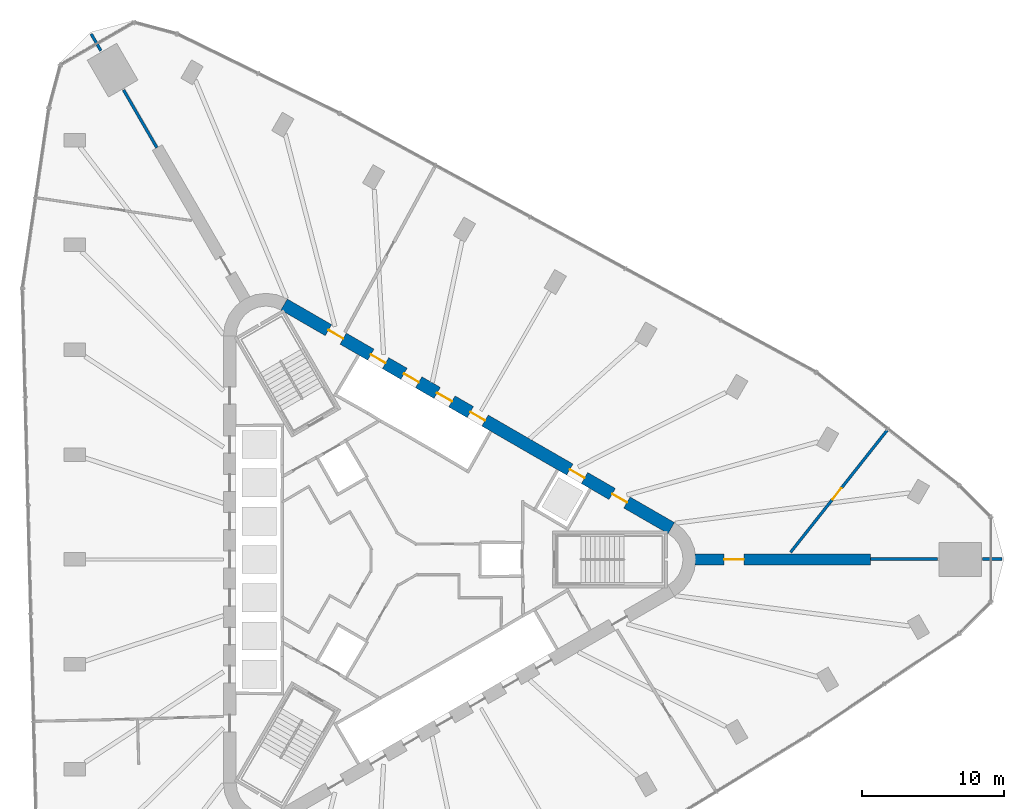
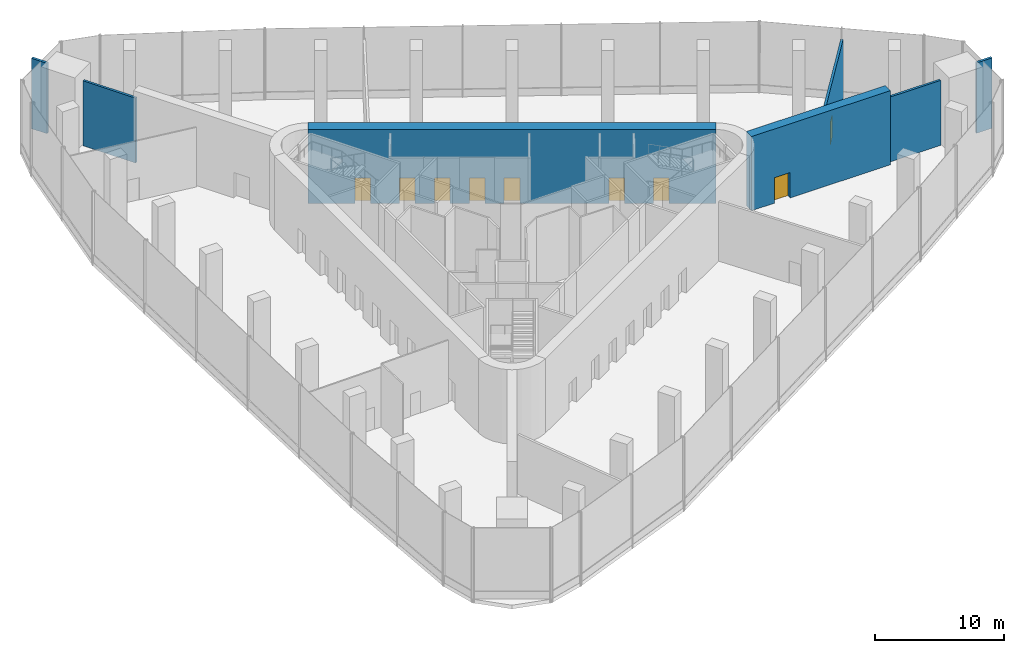
# One storey, part 11 of 15: 9 doors, 7 walls, 9 openings.
"""IFC4 building model written with IfcOpenShell, lengths in metres."""

import ifcopenshell
import ifcopenshell.guid

model = None  # the IFC model being written
_history = None  # IfcOwnerHistory: only IFC2X3 demands one
_inside = {}  # id of a spatial element -> (the spatial element, [elements in it])
_under = {}  # id of a project, library or spatial element -> (it, [spatial elements below it])
_declared = {}  # id of a project -> (the project, [libraries it declares])
_typed = {}  # id of a type object -> (the type object, [elements of that type])
_made_of = {}  # id of a material, layer set ... -> (it, [elements and type objects made of it])


def new_model(schema):
    """Start an empty IFC model of exactly this schema.

    Asked for "IFC4X3", IfcOpenShell would pick the latest addendum, in which some entities
    have other attributes; the version numbers below select the first issue.
    IFC2X3 requires an IfcOwnerHistory on every rooted entity: one is made here for all.
    """
    global model, _history
    if schema == "IFC4X3":
        model = ifcopenshell.file(schema_version=(4, 3, 0, 0))
    else:
        model = ifcopenshell.file(schema=schema)
    _inside.clear()
    _under.clear()
    _declared.clear()
    _typed.clear()
    _made_of.clear()
    _history = None
    if model.schema == "IFC2X3":
        org = make("IfcOrganization", Name="unknown")
        user = make(
            "IfcPersonAndOrganization",
            ThePerson=make("IfcPerson", FamilyName="unknown"),
            TheOrganization=org,
        )
        app = make(
            "IfcApplication",
            ApplicationDeveloper=org,
            Version="unknown",
            ApplicationFullName="unknown",
            ApplicationIdentifier="unknown",
        )
        _history = make(
            "IfcOwnerHistory",
            OwningUser=user,
            OwningApplication=app,
            ChangeAction="ADDED",
            CreationDate=0,
        )
    return model


def make(cls, **values):
    """One entity of the class cls with the attributes given. An attribute that is None is left unset."""
    return model.create_entity(
        cls, **{name: value for name, value in values.items() if value is not None}
    )


def rooted(cls, **values):
    """An entity with a GlobalId (a new one), such as an element, a storey or a relation."""
    return make(cls, GlobalId=ifcopenshell.guid.new(), OwnerHistory=_history, **values)


def si_unit(unit_type, name, prefix=None):
    """IfcSIUnit, for example si_unit("LENGTHUNIT", "METRE", prefix="MILLI")."""
    return make("IfcSIUnit", UnitType=unit_type, Prefix=prefix, Name=name)


def assignment(units):
    """IfcUnitAssignment: the units of a project."""
    return None if units is None else make("IfcUnitAssignment", Units=units)


def point(xyz):
    """IfcCartesianPoint."""
    return None if xyz is None else make("IfcCartesianPoint", Coordinates=xyz)


def direction(xyz):
    """IfcDirection."""
    return None if xyz is None else make("IfcDirection", DirectionRatios=xyz)


def frame(location, z_axis=None, x_axis=None):
    """IfcAxis2Placement3D, a coordinate frame: its origin and axes. An axis left out is left unset."""
    return make(
        "IfcAxis2Placement3D",
        Location=point(location),
        Axis=direction(z_axis),
        RefDirection=direction(x_axis),
    )


def frame_2d(location, x_axis=None):
    """IfcAxis2Placement2D, a coordinate frame in the plane: its origin and x axis."""
    return make(
        "IfcAxis2Placement2D", Location=point(location), RefDirection=direction(x_axis)
    )


def origin():
    """The frame at (0, 0, 0) with its axes left unset."""
    return frame((0.0, 0.0, 0.0))


def place(relative_to, where):
    """IfcLocalPlacement: puts the frame where relative to a parent placement (None: the world)."""
    return make(
        "IfcLocalPlacement", PlacementRelTo=relative_to, RelativePlacement=where
    )


def context(
    kind, dimensions, precision=None, world=None, true_north=None, identifier=None
):
    """IfcGeometricRepresentationContext, for example the 3D "Model" context."""
    return make(
        "IfcGeometricRepresentationContext",
        ContextIdentifier=identifier,
        ContextType=kind,
        CoordinateSpaceDimension=dimensions,
        Precision=precision,
        WorldCoordinateSystem=world,
        TrueNorth=true_north,
    )


def subcontext(parent, identifier, kind, view, scale=None):
    """IfcGeometricRepresentationSubContext, for example "Body" below "Model"."""
    return make(
        "IfcGeometricRepresentationSubContext",
        ContextIdentifier=identifier,
        ContextType=kind,
        ParentContext=parent,
        TargetScale=scale,
        TargetView=view,
    )


def project(units=None, contexts=None):
    """IfcProject with its units and contexts."""
    return rooted(
        "IfcProject",
        Name="project",
        RepresentationContexts=contexts,
        UnitsInContext=assignment(units),
    )


def spatial(cls, under=None, at=None, **own):
    """A site, building, storey or space (cls), placed at a placement, below another one or the project."""
    s = rooted(cls, ObjectPlacement=at, **own)
    if under is not None:
        _under.setdefault(under.id(), (under, []))[1].append(s)
    return s


def profile(cls, at=None, kind="AREA", **sizes):
    """A parametric profile (cls). Its sizes go by their IFC names, for example OverallWidth=200.0."""
    return make(cls, ProfileType=kind, Position=at, **sizes)


def rectangle(**sizes):
    """IfcRectangleProfileDef."""
    return profile("IfcRectangleProfileDef", **sizes)


def extrude(swept, where, along, depth):
    """IfcExtrudedAreaSolid: the profile swept, set in the frame where, extruded along a direction by depth."""
    return make(
        "IfcExtrudedAreaSolid",
        SweptArea=swept,
        Position=where,
        ExtrudedDirection=direction(along),
        Depth=depth,
    )


def shape(context_of_items, identifier, shape_type, items):
    """IfcShapeRepresentation: the items that make up one representation, for example the "Body"."""
    return make(
        "IfcShapeRepresentation",
        ContextOfItems=context_of_items,
        RepresentationIdentifier=identifier,
        RepresentationType=shape_type,
        Items=items,
    )


def material(Name=None, Category=None):
    """IfcMaterial."""
    return make("IfcMaterial", Name=Name, Category=Category)


def layer(
    of_material, thickness, ventilated=None, Name=None, Category=None, Priority=None
):
    """IfcMaterialLayer: one layer of a wall or slab, of a material (None: an air gap)."""
    return make(
        "IfcMaterialLayer",
        Material=of_material,
        LayerThickness=thickness,
        IsVentilated=ventilated,
        Name=Name,
        Category=Category,
        Priority=Priority,
    )


def layer_set(layers, Name=None):
    """IfcMaterialLayerSet."""
    return make("IfcMaterialLayerSet", MaterialLayers=layers, LayerSetName=Name)


def made_of(thing, what):
    """Note that an element or type object is made of a material, layer set ...; save() writes the relation."""
    if what is not None:
        _made_of.setdefault(what.id(), (what, []))[1].append(thing)
    return thing


def type_object(cls, material=None, **own):
    """A type object (cls), such as IfcWallType, which elements share."""
    return made_of(rooted(cls, **own), material)


def element(
    cls,
    number,
    at=None,
    inside=None,
    cuts=None,
    type_object=None,
    material=None,
    context=None,
    identifier="Body",
    shape_type=None,
    held_by="IfcProductDefinitionShape",
    body=None,
    shapes=None,
    **own,
):
    """One element of the class cls, such as IfcWall. Its Tag is "e" and its number.

    at: its placement. inside: the storey or other place that contains it. cuts: it is an
    opening in that element (IfcRelVoidsElement). A single representation is given by context,
    identifier, shape_type and body (its items); several are given by shapes. held_by: the class
    of the entity that holds the representations. save() writes the other relations.
    """
    e = rooted(cls, Tag="e%d" % number, ObjectPlacement=at, **own)
    if body is not None:
        shapes = [shape(context, identifier, shape_type, body)]
    if shapes is not None:
        e.Representation = make(held_by, Representations=shapes)
    if inside is not None:
        _inside.setdefault(inside.id(), (inside, []))[1].append(e)
    if cuts is not None:
        rooted(
            "IfcRelVoidsElement", RelatingBuildingElement=cuts, RelatedOpeningElement=e
        )
    if type_object is not None:
        _typed.setdefault(type_object.id(), (type_object, []))[1].append(e)
    return made_of(e, material)


def fill(opening, filler):
    """IfcRelFillsElement: the door or window that sits in an opening."""
    return rooted(
        "IfcRelFillsElement",
        RelatingOpeningElement=opening,
        RelatedBuildingElement=filler,
    )


def aggregate(whole, parts):
    """IfcRelAggregates: a whole, such as a stair, and the parts it consists of."""
    return rooted("IfcRelAggregates", RelatingObject=whole, RelatedObjects=parts)


def save(model, path):
    """Write the relations noted so far, then the file.

    IfcRelAggregates (storeys below a building ...), IfcRelContainedInSpatialStructure (elements
    in a storey), IfcRelDefinesByType, IfcRelAssociatesMaterial and IfcRelDeclares: one each for
    every whole, place, type object, material and project.
    """
    for whole, parts in _under.values():
        aggregate(whole, parts)
    for where, things in _inside.values():
        rooted(
            "IfcRelContainedInSpatialStructure",
            RelatedElements=things,
            RelatingStructure=where,
        )
    for kind, things in _typed.values():
        rooted("IfcRelDefinesByType", RelatedObjects=things, RelatingType=kind)
    for what, things in _made_of.values():
        rooted("IfcRelAssociatesMaterial", RelatedObjects=things, RelatingMaterial=what)
    for by, libraries in _declared.values():
        rooted("IfcRelDeclares", RelatingContext=by, RelatedDefinitions=libraries)
    model.write(path)


model = new_model("IFC4")

# Units and contexts
model_context = context("Model", 3, precision=1e-05, world=origin(), true_north=direction((0.0, 1.0)))
body_context = subcontext(model_context, "Body", "Model", "MODEL_VIEW")
ifc_project = project(units=[si_unit("LENGTHUNIT", "METRE"), si_unit("AREAUNIT", "SQUARE_METRE"), si_unit("VOLUMEUNIT", "CUBIC_METRE"), si_unit("PLANEANGLEUNIT", "RADIAN"), si_unit("MASSUNIT", "GRAM", prefix="KILO")], contexts=[model_context])

# Site, building, storey
site_placement = place(None, origin())
site = spatial("IfcSite", under=ifc_project, at=site_placement, CompositionType="ELEMENT")
building_placement = place(site_placement, origin())
building = spatial("IfcBuilding", under=site, at=building_placement, Name="Tanit Gate Tower", CompositionType="ELEMENT")
storey_placement = place(building_placement, frame((0.0, 0.0, 156.199951171875)))
storey = spatial("IfcBuildingStorey", under=building, at=storey_placement, Name="L34", CompositionType="ELEMENT", Elevation=156.199951171875)

# Wall, opening, door
ifc_material_1 = material(Name="Concrete C60/75", Category="concrete")
ifc_layer_1 = layer(ifc_material_1, 0.800048828125)
ifc_layer_set_1 = layer_set([ifc_layer_1], Name="BUTTRESS FIN 800 C60/75")
wall_type_1 = type_object("IfcWallType", Name="BUTTRESS FIN 800 C60/75", PredefinedType="SHEAR", material=ifc_layer_set_1)
wall_1_placement = place(storey_placement, frame((21.14990234375, 0.0, 0.0), z_axis=(0.0, 0.0, 1.0), x_axis=(1.0, 0.0, 0.0)))
wall_1 = element("IfcWall", 1, at=wall_1_placement, inside=storey, type_object=wall_type_1, Name="BUTTRESS FIN", PredefinedType="SHEAR", context=body_context, shape_type="SweptSolid", body=[
    extrude(rectangle(XDim=12.3837890625, YDim=0.800048828125, at=frame_2d((6.19189453125, 0.0))), origin(), (0.0, 0.0, 1.0), 7.0),
])
opening_1_placement = place(wall_1_placement, frame((2.050048828125, 0.0, 0.0)))
opening_1 = element("IfcOpeningElement", 2, at=opening_1_placement, cuts=wall_1, Name="Opening P14-34-F-E-1", PredefinedType="OPENING", context=body_context, shape_type="SweptSolid", body=[
    extrude(rectangle(XDim=1.39990234375, YDim=2.39990234375, at=frame_2d((0.699951171875, 1.199951171875))), frame((0.0, 0.41015625, 0.0), z_axis=(0.0, -1.0, 0.0), x_axis=(1.0, 0.0, 0.0)), (0.0, 0.0, 1.0), 0.820068359375),
])
ifc_material_2 = material(Name="Timber door leaf", Category="wood")
door_type_1 = type_object("IfcDoorType", Name="INT-DOOR-FIN-PAIR-1400", OperationType="NOTDEFINED", PredefinedType="NOTDEFINED", material=ifc_material_2)
door_1_placement = place(opening_1_placement, origin())
door_1 = element("IfcDoor", 3, at=door_1_placement, inside=storey, type_object=door_type_1, Name="Door P14-34-F-E-1", OperationType="DOUBLE_DOOR_SINGLE_SWING", OverallHeight=2.39990234375, OverallWidth=1.39990234375, PredefinedType="NOTDEFINED", context=body_context, shape_type="SweptSolid", body=[
    extrude(rectangle(XDim=1.39990234375, YDim=2.39990234375, at=frame_2d((0.699951171875, 1.199951171875))), frame((0.0, 0.02490234375, 0.0), z_axis=(0.0, -1.0, 0.0), x_axis=(1.0, 0.0, 0.0)), (0.0, 0.0, 1.0), 0.050048828125),
])
fill(opening_1, door_1)

# Wall, openings, doors
ifc_material_3 = material(Name="Concrete C60/75", Category="concrete")
ifc_layer_2 = layer(ifc_material_3, 0.89990234375)
ifc_layer_set_2 = layer_set([ifc_layer_2], Name="CORE WALL 900 C60/75")
wall_type_2 = type_object("IfcWallType", Name="CORE WALL 900 C60/75", PredefinedType="SHEAR", material=ifc_layer_set_2)
wall_2_placement = place(storey_placement, frame((19.47509765625, 2.20849609375, 0.0), z_axis=(0.0, 0.0, 1.0), x_axis=(-0.866028369851, 0.499994862586, 0.0)))
wall_2 = element("IfcWall", 4, at=wall_2_placement, inside=storey, type_object=wall_type_2, Name="CORE WALL", PredefinedType="SHEAR", context=body_context, shape_type="SweptSolid", body=[
    extrude(rectangle(XDim=31.523193359375, YDim=0.89990234375, at=frame_2d((15.76171875, 0.0))), origin(), (0.0, 0.0, 1.0), 7.0),
])
opening_2_placement = place(wall_2_placement, frame((7.0615234375, 0.0, 0.0)))
opening_2 = element("IfcOpeningElement", 5, at=opening_2_placement, cuts=wall_2, Name="Opening LDML8-34", PredefinedType="OPENING", context=body_context, shape_type="SweptSolid", body=[
    extrude(rectangle(XDim=1.199951171875, YDim=2.39990234375, at=frame_2d((0.60009765625, 1.199951171875))), frame((0.0, 0.4599609375, 0.0), z_axis=(0.0, -1.0, 0.0), x_axis=(1.0, 0.0, 0.0)), (0.0, 0.0, 1.0), 0.919921875),
])
opening_3_placement = place(wall_2_placement, frame((15.16162109375, 0.0, 0.0)))
opening_3 = element("IfcOpeningElement", 6, at=opening_3_placement, cuts=wall_2, Name="Opening LDSL1-34", PredefinedType="OPENING", context=body_context, shape_type="SweptSolid", body=[
    extrude(rectangle(XDim=1.199951171875, YDim=2.39990234375, at=frame_2d((0.60009765625, 1.199951171875))), frame((0.0, 0.4599609375, 0.0), z_axis=(0.0, -1.0, 0.0), x_axis=(1.0, 0.0, 0.0)), (0.0, 0.0, 1.0), 0.919921875),
])
opening_4_placement = place(wall_2_placement, frame((17.861572265625, 0.0, 0.0)))
opening_4 = element("IfcOpeningElement", 7, at=opening_4_placement, cuts=wall_2, Name="Opening LDSL2-34", PredefinedType="OPENING", context=body_context, shape_type="SweptSolid", body=[
    extrude(rectangle(XDim=1.199951171875, YDim=2.39990234375, at=frame_2d((0.60009765625, 1.199951171875))), frame((0.0, 0.4599609375, 0.0), z_axis=(0.0, -1.0, 0.0), x_axis=(1.0, 0.0, 0.0)), (0.0, 0.0, 1.0), 0.919921875),
])
opening_5_placement = place(wall_2_placement, frame((20.5615234375, 0.0, 0.0)))
opening_5 = element("IfcOpeningElement", 8, at=opening_5_placement, cuts=wall_2, Name="Opening LDSL3-34", PredefinedType="OPENING", context=body_context, shape_type="SweptSolid", body=[
    extrude(rectangle(XDim=1.199951171875, YDim=2.39990234375, at=frame_2d((0.60009765625, 1.199951171875))), frame((0.0, 0.4599609375, 0.0), z_axis=(0.0, -1.0, 0.0), x_axis=(1.0, 0.0, 0.0)), (0.0, 0.0, 1.0), 0.919921875),
])
opening_6_placement = place(wall_2_placement, frame((23.26171875, 0.0, 0.0)))
opening_6 = element("IfcOpeningElement", 9, at=opening_6_placement, cuts=wall_2, Name="Opening LDSL4-34", PredefinedType="OPENING", context=body_context, shape_type="SweptSolid", body=[
    extrude(rectangle(XDim=1.199951171875, YDim=2.39990234375, at=frame_2d((0.60009765625, 1.199951171875))), frame((0.0, 0.4599609375, 0.0), z_axis=(0.0, -1.0, 0.0), x_axis=(1.0, 0.0, 0.0)), (0.0, 0.0, 1.0), 0.919921875),
])
opening_7_placement = place(wall_2_placement, frame((3.611572265625, 0.0, 0.0)))
opening_7 = element("IfcOpeningElement", 10, at=opening_7_placement, cuts=wall_2, Name="Opening F12-34-FL1", PredefinedType="OPENING", context=body_context, shape_type="SweptSolid", body=[
    extrude(rectangle(XDim=1.199951171875, YDim=2.39990234375, at=frame_2d((0.60009765625, 1.199951171875))), frame((0.0, 0.4599609375, 0.0), z_axis=(0.0, -1.0, 0.0), x_axis=(1.0, 0.0, 0.0)), (0.0, 0.0, 1.0), 0.919921875),
])
opening_8_placement = place(wall_2_placement, frame((26.711669921875, 0.0, 0.0)))
opening_8 = element("IfcOpeningElement", 11, at=opening_8_placement, cuts=wall_2, Name="Opening F12-34-S2", PredefinedType="OPENING", context=body_context, shape_type="SweptSolid", body=[
    extrude(rectangle(XDim=1.199951171875, YDim=2.39990234375, at=frame_2d((0.60009765625, 1.199951171875))), frame((0.0, 0.4599609375, 0.0), z_axis=(0.0, -1.0, 0.0), x_axis=(1.0, 0.0, 0.0)), (0.0, 0.0, 1.0), 0.919921875),
])
ifc_material_4 = material(Name="Fire-rated steel door leaf", Category="steel")
door_type_2 = type_object("IfcDoorType", Name="INT-DOOR-FIRE-LOBBY-1200", OperationType="NOTDEFINED", PredefinedType="USERDEFINED", material=ifc_material_4)
door_2_placement = place(opening_7_placement, origin())
door_2 = element("IfcDoor", 12, at=door_2_placement, inside=storey, type_object=door_type_2, Name="Door F12-34-FL1", ObjectType="FIRE DOOR", OperationType="SINGLE_SWING_LEFT", OverallHeight=2.39990234375, OverallWidth=1.199951171875, PredefinedType="USERDEFINED", context=body_context, shape_type="SweptSolid", body=[
    extrude(rectangle(XDim=1.199951171875, YDim=2.39990234375, at=frame_2d((0.60009765625, 1.199951171875))), frame((0.0, 0.02490234375, 0.0), z_axis=(0.0, -1.0, 0.0), x_axis=(1.0, 0.0, 0.0)), (0.0, 0.0, 1.0), 0.050048828125),
])
fill(opening_7, door_2)
door_3_placement = place(opening_8_placement, origin())
door_3 = element("IfcDoor", 13, at=door_3_placement, inside=storey, type_object=door_type_2, Name="Door F12-34-S2", ObjectType="FIRE DOOR", OperationType="SINGLE_SWING_RIGHT", OverallHeight=2.39990234375, OverallWidth=1.199951171875, PredefinedType="USERDEFINED", context=body_context, shape_type="SweptSolid", body=[
    extrude(rectangle(XDim=1.199951171875, YDim=2.39990234375, at=frame_2d((0.60009765625, 1.199951171875))), frame((0.0, 0.02490234375, 0.0), z_axis=(0.0, -1.0, 0.0), x_axis=(1.0, 0.0, 0.0)), (0.0, 0.0, 1.0), 0.050048828125),
])
fill(opening_8, door_3)
ifc_material_5 = material(Name="Stainless steel sliding door leaf", Category="steel")
door_type_3 = type_object("IfcDoorType", Name="INT-DOOR-LANDING-1200", OperationType="NOTDEFINED", PredefinedType="USERDEFINED", material=ifc_material_5)
door_4_placement = place(opening_2_placement, origin())
door_4 = element("IfcDoor", 14, at=door_4_placement, inside=storey, type_object=door_type_3, Name="Door LDML8-34", ObjectType="LANDING DOOR", OperationType="SLIDING_TO_LEFT", OverallHeight=2.39990234375, OverallWidth=1.199951171875, PredefinedType="USERDEFINED", context=body_context, shape_type="SweptSolid", body=[
    extrude(rectangle(XDim=1.199951171875, YDim=2.39990234375, at=frame_2d((0.60009765625, 1.199951171875))), frame((0.0, 0.02490234375, 0.0), z_axis=(0.0, -1.0, 0.0), x_axis=(1.0, 0.0, 0.0)), (0.0, 0.0, 1.0), 0.050048828125),
])
fill(opening_2, door_4)
door_5_placement = place(opening_3_placement, origin())
door_5 = element("IfcDoor", 15, at=door_5_placement, inside=storey, type_object=door_type_3, Name="Door LDSL1-34", ObjectType="LANDING DOOR", OperationType="SLIDING_TO_LEFT", OverallHeight=2.39990234375, OverallWidth=1.199951171875, PredefinedType="USERDEFINED", context=body_context, shape_type="SweptSolid", body=[
    extrude(rectangle(XDim=1.199951171875, YDim=2.39990234375, at=frame_2d((0.60009765625, 1.199951171875))), frame((0.0, 0.02490234375, 0.0), z_axis=(0.0, -1.0, 0.0), x_axis=(1.0, 0.0, 0.0)), (0.0, 0.0, 1.0), 0.050048828125),
])
fill(opening_3, door_5)
door_6_placement = place(opening_4_placement, origin())
door_6 = element("IfcDoor", 16, at=door_6_placement, inside=storey, type_object=door_type_3, Name="Door LDSL2-34", ObjectType="LANDING DOOR", OperationType="SLIDING_TO_LEFT", OverallHeight=2.39990234375, OverallWidth=1.199951171875, PredefinedType="USERDEFINED", context=body_context, shape_type="SweptSolid", body=[
    extrude(rectangle(XDim=1.199951171875, YDim=2.39990234375, at=frame_2d((0.60009765625, 1.199951171875))), frame((0.0, 0.02490234375, 0.0), z_axis=(0.0, -1.0, 0.0), x_axis=(1.0, 0.0, 0.0)), (0.0, 0.0, 1.0), 0.050048828125),
])
fill(opening_4, door_6)
door_7_placement = place(opening_5_placement, origin())
door_7 = element("IfcDoor", 17, at=door_7_placement, inside=storey, type_object=door_type_3, Name="Door LDSL3-34", ObjectType="LANDING DOOR", OperationType="SLIDING_TO_LEFT", OverallHeight=2.39990234375, OverallWidth=1.199951171875, PredefinedType="USERDEFINED", context=body_context, shape_type="SweptSolid", body=[
    extrude(rectangle(XDim=1.199951171875, YDim=2.39990234375, at=frame_2d((0.60009765625, 1.199951171875))), frame((0.0, 0.02490234375, 0.0), z_axis=(0.0, -1.0, 0.0), x_axis=(1.0, 0.0, 0.0)), (0.0, 0.0, 1.0), 0.050048828125),
])
fill(opening_5, door_7)
door_8_placement = place(opening_6_placement, origin())
door_8 = element("IfcDoor", 18, at=door_8_placement, inside=storey, type_object=door_type_3, Name="Door LDSL4-34", ObjectType="LANDING DOOR", OperationType="SLIDING_TO_LEFT", OverallHeight=2.39990234375, OverallWidth=1.199951171875, PredefinedType="USERDEFINED", context=body_context, shape_type="SweptSolid", body=[
    extrude(rectangle(XDim=1.199951171875, YDim=2.39990234375, at=frame_2d((0.60009765625, 1.199951171875))), frame((0.0, 0.02490234375, 0.0), z_axis=(0.0, -1.0, 0.0), x_axis=(1.0, 0.0, 0.0)), (0.0, 0.0, 1.0), 0.050048828125),
])
fill(opening_6, door_8)

# Walls
ifc_material_6 = material(Name="Fire-rated gypsum board partition")
ifc_layer_3 = layer(ifc_material_6, 0.199951171875)
ifc_layer_set_3 = layer_set([ifc_layer_3], Name="INT-WALL-COMPARTMENT")
wall_type_3 = type_object("IfcWallType", Name="INT-WALL-COMPARTMENT", PredefinedType="PARTITIONING", material=ifc_layer_set_3)
wall_3_placement = place(storey_placement, frame((-21.4248046875, 37.049072265625, 0.0), z_axis=(0.0, 0.0, 1.0), x_axis=(0.499959369124, -0.866048860761, 0.0)))
element("IfcWall", 19, at=wall_3_placement, inside=storey, type_object=wall_type_3, Name="Wall Compartment W087", PredefinedType="PARTITIONING", context=body_context, shape_type="SweptSolid", body=[
    extrude(rectangle(XDim=1.36767578125, YDim=0.199951171875, at=frame_2d((0.683837890625, 0.0))), origin(), (0.0, 0.0, 1.0), 6.650146484375),
])
wall_4_placement = place(storey_placement, frame((-19.14111328125, 33.09326171875, 0.0), z_axis=(0.0, 0.0, 1.0), x_axis=(0.500035941397, -0.866004652015, 0.0)))
element("IfcWall", 20, at=wall_4_placement, inside=storey, type_object=wall_type_3, Name="Wall Compartment W088", PredefinedType="PARTITIONING", context=body_context, shape_type="SweptSolid", body=[
    extrude(rectangle(XDim=4.696533203125, YDim=0.199951171875, at=frame_2d((2.34814453125, 0.0))), origin(), (0.0, 0.0, 1.0), 6.130126953125),
])

# Wall, opening, door
wall_5_placement = place(storey_placement, frame((27.8818359375, 0.5, 0.0), z_axis=(0.0, 0.0, 1.0), x_axis=(0.620451383062, 0.784244911527, 0.0)))
wall_5 = element("IfcWall", 21, at=wall_5_placement, inside=storey, type_object=wall_type_3, Name="Wall Compartment W092", PredefinedType="PARTITIONING", context=body_context, shape_type="SweptSolid", body=[
    extrude(rectangle(XDim=11.088134765625, YDim=0.199951171875, at=frame_2d((5.5439453125, 0.0))), origin(), (0.0, 0.0, 1.0), 5.612060546875),
])
opening_9_placement = place(wall_5_placement, frame((4.762451171875, 0.0, 0.0)))
opening_9 = element("IfcOpeningElement", 22, at=opening_9_placement, cuts=wall_5, Name="Opening F10-34-15", PredefinedType="OPENING", context=body_context, shape_type="SweptSolid", body=[
    extrude(rectangle(XDim=1.0, YDim=2.10009765625, at=frame_2d((0.5, 1.050048828125))), frame((0.0, 0.10986328125, 0.0), z_axis=(0.0, -1.0, 0.0), x_axis=(1.0, 0.0, 0.0)), (0.0, 0.0, 1.0), 0.219970703125),
])
ifc_material_7 = material(Name="Fire-rated steel door leaf", Category="steel")
door_type_4 = type_object("IfcDoorType", Name="INT-DOOR-FIRE-1000", OperationType="NOTDEFINED", PredefinedType="USERDEFINED", material=ifc_material_7)
door_9_placement = place(opening_9_placement, origin())
door_9 = element("IfcDoor", 23, at=door_9_placement, inside=storey, type_object=door_type_4, Name="Door F10-34-15", ObjectType="FIRE DOOR", OperationType="SINGLE_SWING_LEFT", OverallHeight=2.10009765625, OverallWidth=1.0, PredefinedType="USERDEFINED", context=body_context, shape_type="SweptSolid", body=[
    extrude(rectangle(XDim=1.0, YDim=2.10009765625, at=frame_2d((0.5, 1.050048828125))), frame((0.0, 0.02490234375, 0.0), z_axis=(0.0, -1.0, 0.0), x_axis=(1.0, 0.0, 0.0)), (0.0, 0.0, 1.0), 0.050048828125),
])
fill(opening_9, door_9)

# Walls
wall_6_placement = place(storey_placement, frame((42.7978515625, 0.030029296875, 0.0), z_axis=(0.0, 0.0, 1.0), x_axis=(-1.0, 0.0, 0.0)))
element("IfcWall", 24, at=wall_6_placement, inside=storey, type_object=wall_type_3, Name="Wall Compartment W094", PredefinedType="PARTITIONING", context=body_context, shape_type="SweptSolid", body=[
    extrude(rectangle(XDim=1.36767578125, YDim=0.199951171875, at=frame_2d((0.683837890625, 0.0))), origin(), (0.0, 0.0, 1.0), 6.650146484375),
])
wall_7_placement = place(storey_placement, frame((38.230224609375, 0.030029296875, 0.0), z_axis=(0.0, 0.0, 1.0), x_axis=(-1.0, 0.0, 0.0)))
element("IfcWall", 25, at=wall_7_placement, inside=storey, type_object=wall_type_3, Name="Wall Compartment W093", PredefinedType="PARTITIONING", context=body_context, shape_type="SweptSolid", body=[
    extrude(rectangle(XDim=4.696533203125, YDim=0.199951171875, at=frame_2d((2.34814453125, 0.0))), origin(), (0.0, 0.0, 1.0), 6.130126953125),
])

save(model, "model.ifc")
